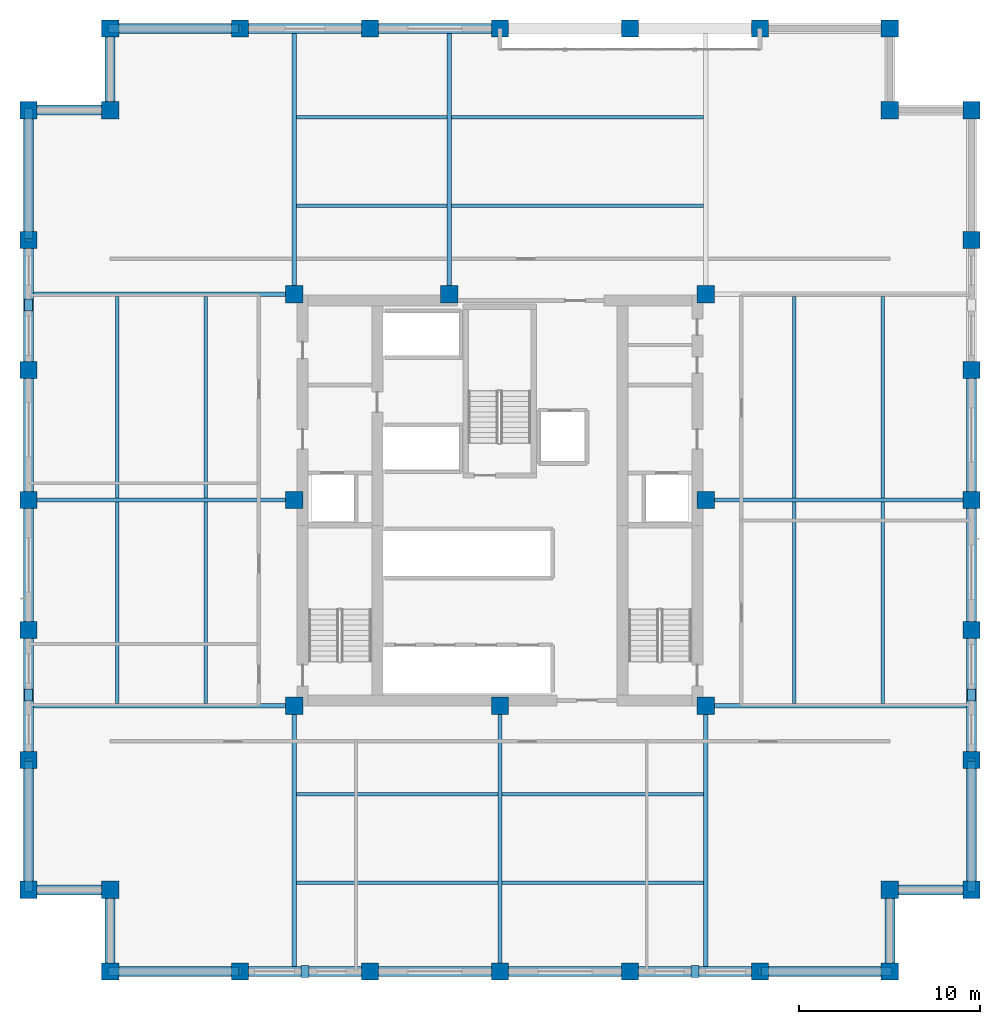
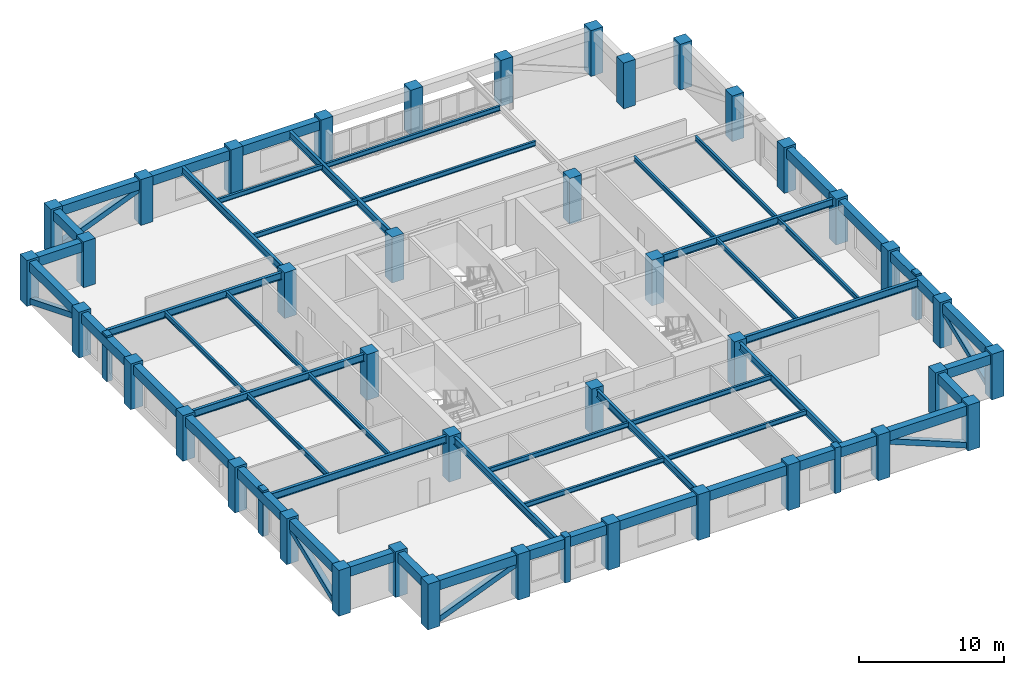
# One storey, part 1 of 11: 51 beams, 40 columns, 11 members.
"""IFC4 building model written with IfcOpenShell, lengths in metres."""

from ifc_helpers import new_model, si_unit, direction, frame, origin, origin_2d, place, context, subcontext, project, spatial, rectangle, hollow_rectangle, i_section, extrude, material, material_profile, profile_set, type_object, element, save


model = new_model("IFC4")

# Units and contexts
model_context = context("Model", 3, precision=1e-05, world=origin(), true_north=direction((0.0, 1.0)))
body_context = subcontext(model_context, "Body", "Model", "MODEL_VIEW")
ifc_project = project(units=[si_unit("LENGTHUNIT", "METRE"), si_unit("AREAUNIT", "SQUARE_METRE"), si_unit("VOLUMEUNIT", "CUBIC_METRE"), si_unit("PLANEANGLEUNIT", "RADIAN"), si_unit("MASSUNIT", "GRAM", prefix="KILO")], contexts=[model_context])

# Site, building, storey
site_placement = place(None, origin())
site = spatial("IfcSite", under=ifc_project, at=site_placement, CompositionType="ELEMENT")
building_placement = place(site_placement, origin())
building = spatial("IfcBuilding", under=site, at=building_placement, Name="Nhamokura Convention Tower", CompositionType="ELEMENT")
storey_placement = place(building_placement, frame((0.0, 0.0, 133.699951171875)))
storey = spatial("IfcBuildingStorey", under=building, at=storey_placement, Name="L32", CompositionType="ELEMENT", Elevation=133.699951171875)

# Columns
ifc_material_1 = material(Name="Concrete C60/75", Category="concrete")
ifc_material_profile_1 = material_profile(ifc_material_1, rectangle(XDim=0.949951171875, YDim=0.949951171875, at=origin_2d()))
ifc_profile_set_1 = profile_set([ifc_material_profile_1], Name="Concrete C60/75")
column_type = type_object("IfcColumnType", Name="TubeColumn_Z2_950", PredefinedType="COLUMN", material=ifc_profile_set_1)
for number, where, z_axis, x_axis, name in (
    (1, (20.64990234375, 20.64990234375, 0.0), (0.0, 0.0, 1.0), (1.0, 0.0, 0.0), "L32 Core Column CC-SW"),
    (2, (32.0, 20.64990234375, 0.0), (0.0, 0.0, 1.0), (1.0, 0.0, 0.0), "L32 Core Column CC-S"),
    (3, (43.35009765625, 20.64990234375, 0.0), (0.0, 0.0, 1.0), (1.0, 0.0, 0.0), "L32 Core Column CC-SE"),
    (4, (43.35009765625, 32.0, 0.0), (0.0, 0.0, 1.0), (1.0, 0.0, 0.0), "L32 Core Column CC-E"),
    (5, (43.35009765625, 43.35009765625, 0.0), (0.0, 0.0, 1.0), (1.0, 0.0, 0.0), "L32 Core Column CC-NE"),
    (6, (29.199951171875, 43.35009765625, 0.0), (0.0, 0.0, 1.0), (1.0, 0.0, 0.0), "L32 Core Column CC-N"),
    (7, (20.64990234375, 43.35009765625, 0.0), (0.0, 0.0, 1.0), (1.0, 0.0, 0.0), "L32 Core Column CC-NW"),
    (8, (20.64990234375, 32.0, 0.0), (0.0, 0.0, 1.0), (1.0, 0.0, 0.0), "L32 Core Column CC-W"),
    (9, (10.5, 6.0, 0.0), (0.0, 0.0, 1.0), (1.0, 0.0, 0.0), "L32 Perimeter Tube Column SW1"),
    (10, (10.5, 10.5, 0.0), (0.0, 0.0, 1.0), (1.0, 0.0, 0.0), "L32 Perimeter Tube Column SW0"),
    (11, (6.0, 10.5, 0.0), (0.0, 0.0, 1.0), (1.0, 0.0, 0.0), "L32 Perimeter Tube Column SW2"),
    (12, (53.5, 6.0, 0.0), (0.0, 0.0, 1.0), (1.0, 0.0, 0.0), "L32 Perimeter Tube Column SE1"),
    (13, (53.5, 10.5, 0.0), (0.0, 0.0, 1.0), (1.0, 0.0, 0.0), "L32 Perimeter Tube Column SE0"),
    (14, (58.0, 10.5, 0.0), (0.0, 0.0, 1.0), (1.0, 0.0, 0.0), "L32 Perimeter Tube Column SE2"),
    (15, (58.0, 53.5, 0.0), (0.0, 0.0, 1.0), (1.0, 0.0, 0.0), "L32 Perimeter Tube Column NE1"),
    (16, (53.5, 53.5, 0.0), (0.0, 0.0, 1.0), (1.0, 0.0, 0.0), "L32 Perimeter Tube Column NE0"),
    (17, (53.5, 58.0, 0.0), (0.0, 0.0, 1.0), (1.0, 0.0, 0.0), "L32 Perimeter Tube Column NE2"),
    (18, (10.5, 58.0, 0.0), (0.0, 0.0, 1.0), (1.0, 0.0, 0.0), "L32 Perimeter Tube Column NW1"),
    (19, (10.5, 53.5, 0.0), (0.0, 0.0, 1.0), (1.0, 0.0, 0.0), "L32 Perimeter Tube Column NW0"),
    (20, (6.0, 53.5, 0.0), (0.0, 0.0, 1.0), (1.0, 0.0, 0.0), "L32 Perimeter Tube Column NW2"),
    (21, (17.666748046875, 6.0, 0.0), (0.0, 0.0, 1.0), (1.0, 0.0, 0.0), "L32 Perimeter Tube Column S1"),
    (22, (17.666748046875, 58.0, 0.0), (0.0, 0.0, 1.0), (1.0, 0.0, 0.0), "L32 Perimeter Tube Column N1"),
    (23, (6.0, 17.666748046875, 0.0), (0.0, 0.0, 1.0), (1.0, 0.0, 0.0), "L32 Perimeter Tube Column W1"),
    (24, (58.0, 17.666748046875, 0.0), (0.0, 0.0, 1.0), (1.0, 0.0, 0.0), "L32 Perimeter Tube Column E1"),
    (25, (24.833251953125, 6.0, 0.0), (0.0, 0.0, 1.0), (1.0, 0.0, 0.0), "L32 Perimeter Tube Column S2"),
    (26, (24.833251953125, 58.0, 0.0), (0.0, 0.0, 1.0), (1.0, 0.0, 0.0), "L32 Perimeter Tube Column N2"),
    (27, (6.0, 24.833251953125, 0.0), (0.0, 0.0, 1.0), (1.0, 0.0, 0.0), "L32 Perimeter Tube Column W2"),
    (28, (58.0, 24.833251953125, 0.0), (0.0, 0.0, 1.0), (1.0, 0.0, 0.0), "L32 Perimeter Tube Column E2"),
    (29, (32.0, 6.0, 0.0), (0.0, 0.0, 1.0), (1.0, 0.0, 0.0), "L32 Perimeter Tube Column S3"),
    (30, (32.0, 58.0, 0.0), (0.0, 0.0, 1.0), (1.0, 0.0, 0.0), "L32 Perimeter Tube Column N3"),
    (31, (6.0, 32.0, 0.0), (0.0, 0.0, 1.0), (1.0, 0.0, 0.0), "L32 Perimeter Tube Column W3"),
    (32, (58.0, 32.0, 0.0), (0.0, 0.0, 1.0), (1.0, 0.0, 0.0), "L32 Perimeter Tube Column E3"),
    (33, (39.166748046875, 6.0, 0.0), (0.0, 0.0, 1.0), (1.0, 0.0, 0.0), "L32 Perimeter Tube Column S4"),
    (34, (39.166748046875, 58.0, 0.0), (0.0, 0.0, 1.0), (1.0, 0.0, 0.0), "L32 Perimeter Tube Column N4"),
    (35, (6.0, 39.166748046875, 0.0), (0.0, 0.0, 1.0), (1.0, 0.0, 0.0), "L32 Perimeter Tube Column W4"),
    (36, (58.0, 39.166748046875, 0.0), (0.0, 0.0, 1.0), (1.0, 0.0, 0.0), "L32 Perimeter Tube Column E4"),
    (37, (46.333251953125, 6.0, 0.0), (0.0, 0.0, 1.0), (1.0, 0.0, 0.0), "L32 Perimeter Tube Column S5"),
    (38, (46.333251953125, 58.0, 0.0), (0.0, 0.0, 1.0), (1.0, 0.0, 0.0), "L32 Perimeter Tube Column N5"),
    (39, (6.0, 46.333251953125, 0.0), (0.0, 0.0, 1.0), (1.0, 0.0, 0.0), "L32 Perimeter Tube Column W5"),
    (40, (58.0, 46.333251953125, 0.0), (0.0, 0.0, 1.0), (1.0, 0.0, 0.0), "L32 Perimeter Tube Column E5"),
):
    element("IfcColumn", number, at=place(storey_placement, frame(where, z_axis=z_axis, x_axis=x_axis)), inside=storey, type_object=column_type, Name=name, PredefinedType="COLUMN", context=body_context, shape_type="SweptSolid", body=[
        extrude(rectangle(XDim=0.949951171875, YDim=0.949951171875, at=origin_2d()), origin(), (0.0, 0.0, 1.0), 3.85009765625),
    ])

# Members
ifc_material_2 = material(Name="Bronze-pigmented precast concrete C45/55", Category="concrete")
ifc_material_profile_2 = material_profile(ifc_material_2, rectangle(XDim=0.449951171875, YDim=0.64990234375, at=origin_2d()))
ifc_profile_set_2 = profile_set([ifc_material_profile_2], Name="Bronze-pigmented precast concrete C45/55")
member_type_1 = type_object("IfcMemberType", Name="BronzePilaster_650", PredefinedType="USERDEFINED", material=ifc_profile_set_2)
for number, where, z_axis, x_axis, name in (
    (41, (21.25, 6.0, 0.0), (0.0, 0.0, 1.0), (1.0, 0.0, 0.0), "L32 Engaged Frame Pilaster SOUTH 1"),
    (42, (42.75, 6.0, 0.0), (0.0, 0.0, 1.0), (1.0, 0.0, 0.0), "L32 Engaged Frame Pilaster SOUTH 4"),
    (43, (6.0, 21.25, 0.0), (0.0, 0.0, 1.0), (1.0, 0.0, 0.0), "L32 Engaged Frame Pilaster WEST 1"),
    (44, (6.0, 42.75, 0.0), (0.0, 0.0, 1.0), (1.0, 0.0, 0.0), "L32 Engaged Frame Pilaster WEST 4"),
    (45, (58.0, 21.25, 0.0), (0.0, 0.0, 1.0), (1.0, 0.0, 0.0), "L32 Engaged Frame Pilaster EAST 1"),
):
    element("IfcMember", number, at=place(storey_placement, frame(where, z_axis=z_axis, x_axis=x_axis)), inside=storey, type_object=member_type_1, Name=name, ObjectType="PILASTER_TRIM", PredefinedType="USERDEFINED", context=body_context, shape_type="SweptSolid", body=[
        extrude(rectangle(XDim=0.449951171875, YDim=0.64990234375, at=origin_2d()), origin(), (0.0, 0.0, 1.0), 3.85009765625),
    ])

# Beams
ifc_material_3 = material(Name="Steel ASTM A992 Gr 50", Category="steel")
ifc_material_profile_3 = material_profile(ifc_material_3, i_section(OverallWidth=0.177001953125, OverallDepth=0.403076171875, WebThickness=0.007568359375, FlangeThickness=0.010986328125, at=origin_2d()))
ifc_profile_set_3 = profile_set([ifc_material_profile_3], Name="Steel ASTM A992 Gr 50")
beam_type_1 = type_object("IfcBeamType", Name="FloorJoist_W410X53", PredefinedType="JOIST", material=ifc_profile_set_3)
for number, where, z_axis, x_axis, name in (
    (46, (20.761962890625, 10.88330078125, 3.483642578125), (1.0, 0.0, 0.0), (0.0, 1.0, 0.0), "L32 Composite Floor Joist S1A"),
    (47, (32.112060546875, 10.88330078125, 3.483642578125), (1.0, 0.0, 0.0), (0.0, 1.0, 0.0), "L32 Composite Floor Joist S1B"),
    (48, (20.761962890625, 15.7666015625, 3.483642578125), (1.0, 0.0, 0.0), (0.0, 1.0, 0.0), "L32 Composite Floor Joist S2A"),
    (49, (32.112060546875, 15.7666015625, 3.483642578125), (1.0, 0.0, 0.0), (0.0, 1.0, 0.0), "L32 Composite Floor Joist S2B"),
):
    element("IfcBeam", number, at=place(storey_placement, frame(where, z_axis=z_axis, x_axis=x_axis)), inside=storey, type_object=beam_type_1, Name=name, PredefinedType="JOIST", context=body_context, shape_type="SweptSolid", body=[
        extrude(i_section(OverallWidth=0.177001953125, OverallDepth=0.403076171875, WebThickness=0.007568359375, FlangeThickness=0.010986328125, at=origin_2d()), origin(), (0.0, 0.0, 1.0), 11.1259765625),
    ])
beam_1_placement = place(storey_placement, frame((20.761962890625, 48.2333984375, 3.483642578125), z_axis=(1.0, 0.0, 0.0), x_axis=(0.0, 1.0, 0.0)))
element("IfcBeam", 50, at=beam_1_placement, inside=storey, type_object=beam_type_1, Name="L32 Composite Floor Joist N1A", PredefinedType="JOIST", context=body_context, shape_type="SweptSolid", body=[
    extrude(i_section(OverallWidth=0.177001953125, OverallDepth=0.403076171875, WebThickness=0.007568359375, FlangeThickness=0.010986328125, at=origin_2d()), origin(), (0.0, 0.0, 1.0), 8.325927734375),
])
beam_2_placement = place(storey_placement, frame((29.31201171875, 48.2333984375, 3.483642578125), z_axis=(1.0, 0.0, 0.0), x_axis=(0.0, 1.0, 0.0)))
element("IfcBeam", 51, at=beam_2_placement, inside=storey, type_object=beam_type_1, Name="L32 Composite Floor Joist N1B", PredefinedType="JOIST", context=body_context, shape_type="SweptSolid", body=[
    extrude(i_section(OverallWidth=0.177001953125, OverallDepth=0.403076171875, WebThickness=0.007568359375, FlangeThickness=0.010986328125, at=origin_2d()), origin(), (0.0, 0.0, 1.0), 13.926025390625),
])
beam_3_placement = place(storey_placement, frame((20.761962890625, 53.11669921875, 3.483642578125), z_axis=(1.0, 0.0, 0.0), x_axis=(0.0, 1.0, 0.0)))
element("IfcBeam", 52, at=beam_3_placement, inside=storey, type_object=beam_type_1, Name="L32 Composite Floor Joist N2A", PredefinedType="JOIST", context=body_context, shape_type="SweptSolid", body=[
    extrude(i_section(OverallWidth=0.177001953125, OverallDepth=0.403076171875, WebThickness=0.007568359375, FlangeThickness=0.010986328125, at=origin_2d()), origin(), (0.0, 0.0, 1.0), 8.325927734375),
])
beam_4_placement = place(storey_placement, frame((29.31201171875, 53.11669921875, 3.483642578125), z_axis=(1.0, 0.0, 0.0), x_axis=(0.0, 1.0, 0.0)))
element("IfcBeam", 53, at=beam_4_placement, inside=storey, type_object=beam_type_1, Name="L32 Composite Floor Joist N2B", PredefinedType="JOIST", context=body_context, shape_type="SweptSolid", body=[
    extrude(i_section(OverallWidth=0.177001953125, OverallDepth=0.403076171875, WebThickness=0.007568359375, FlangeThickness=0.010986328125, at=origin_2d()), origin(), (0.0, 0.0, 1.0), 13.926025390625),
])
for number, where, z_axis, x_axis, name in (
    (54, (10.88330078125, 20.761962890625, 3.483642578125), (0.0, 1.0, 0.0), (-1.0, 0.0, 0.0), "L32 Composite Floor Joist W1A"),
    (55, (10.88330078125, 32.112060546875, 3.483642578125), (0.0, 1.0, 0.0), (-1.0, 0.0, 0.0), "L32 Composite Floor Joist W1B"),
    (56, (15.7666015625, 20.761962890625, 3.483642578125), (0.0, 1.0, 0.0), (-1.0, 0.0, 0.0), "L32 Composite Floor Joist W2A"),
    (57, (15.7666015625, 32.112060546875, 3.483642578125), (0.0, 1.0, 0.0), (-1.0, 0.0, 0.0), "L32 Composite Floor Joist W2B"),
    (58, (48.2333984375, 20.761962890625, 3.483642578125), (0.0, 1.0, 0.0), (-1.0, 0.0, 0.0), "L32 Composite Floor Joist E1A"),
    (59, (48.2333984375, 32.112060546875, 3.483642578125), (0.0, 1.0, 0.0), (-1.0, 0.0, 0.0), "L32 Composite Floor Joist E1B"),
    (60, (53.11669921875, 20.761962890625, 3.483642578125), (0.0, 1.0, 0.0), (-1.0, 0.0, 0.0), "L32 Composite Floor Joist E2A"),
    (61, (53.11669921875, 32.112060546875, 3.483642578125), (0.0, 1.0, 0.0), (-1.0, 0.0, 0.0), "L32 Composite Floor Joist E2B"),
):
    element("IfcBeam", number, at=place(storey_placement, frame(where, z_axis=z_axis, x_axis=x_axis)), inside=storey, type_object=beam_type_1, Name=name, PredefinedType="JOIST", context=body_context, shape_type="SweptSolid", body=[
        extrude(i_section(OverallWidth=0.177001953125, OverallDepth=0.403076171875, WebThickness=0.007568359375, FlangeThickness=0.010986328125, at=origin_2d()), origin(), (0.0, 0.0, 1.0), 11.1259765625),
    ])
ifc_material_4 = material(Name="Steel ASTM A992 Gr 50", Category="steel")
ifc_material_profile_4 = material_profile(ifc_material_4, i_section(OverallWidth=0.22802734375, OverallDepth=0.60791015625, WebThickness=0.01123046875, FlangeThickness=0.017333984375, at=origin_2d()))
ifc_profile_set_4 = profile_set([ifc_material_profile_4], Name="Steel ASTM A992 Gr 50")
beam_type_2 = type_object("IfcBeamType", Name="PrimaryGirder_W610X113", PredefinedType="BEAM", material=ifc_profile_set_4)
for number, where, z_axis, x_axis, name in (
    (62, (20.64990234375, 6.0, 3.381103515625), (0.0, 1.0, 0.0), (-1.0, 0.0, 0.0), "L32 Primary Floor Girder PG-S1"),
    (63, (32.0, 6.0, 3.381103515625), (0.0, 1.0, 0.0), (-1.0, 0.0, 0.0), "L32 Primary Floor Girder PG-S2"),
    (64, (43.35009765625, 6.0, 3.381103515625), (0.0, 1.0, 0.0), (-1.0, 0.0, 0.0), "L32 Primary Floor Girder PG-S3"),
    (65, (20.64990234375, 43.35009765625, 3.381103515625), (0.0, 1.0, 0.0), (-1.0, 0.0, 0.0), "L32 Primary Floor Girder PG-N1"),
    (66, (29.199951171875, 43.35009765625, 3.381103515625), (0.0, 1.0, 0.0), (-1.0, 0.0, 0.0), "L32 Primary Floor Girder PG-N2"),
    (67, (6.0, 20.64990234375, 3.381103515625), (1.0, 0.0, 0.0), (0.0, 1.0, 0.0), "L32 Primary Floor Girder PG-W1"),
    (68, (6.0, 32.0, 3.381103515625), (1.0, 0.0, 0.0), (0.0, 1.0, 0.0), "L32 Primary Floor Girder PG-W2"),
    (69, (6.0, 43.35009765625, 3.381103515625), (1.0, 0.0, 0.0), (0.0, 1.0, 0.0), "L32 Primary Floor Girder PG-W3"),
    (70, (43.35009765625, 20.64990234375, 3.381103515625), (1.0, 0.0, 0.0), (0.0, 1.0, 0.0), "L32 Primary Floor Girder PG-E1"),
    (71, (43.35009765625, 32.0, 3.381103515625), (1.0, 0.0, 0.0), (0.0, 1.0, 0.0), "L32 Primary Floor Girder PG-E2"),
):
    element("IfcBeam", number, at=place(storey_placement, frame(where, z_axis=z_axis, x_axis=x_axis)), inside=storey, type_object=beam_type_2, Name=name, PredefinedType="BEAM", context=body_context, shape_type="SweptSolid", body=[
        extrude(i_section(OverallWidth=0.22802734375, OverallDepth=0.60791015625, WebThickness=0.01123046875, FlangeThickness=0.017333984375, at=origin_2d()), origin(), (0.0, 0.0, 1.0), 14.64990234375),
    ])

# Members
ifc_material_5 = material(Name="Steel ASTM A572 Gr 50", Category="steel")
ifc_material_profile_5 = material_profile(ifc_material_5, hollow_rectangle(XDim=0.449951171875, YDim=0.449951171875, WallThickness=0.02197265625, at=origin_2d()))
ifc_profile_set_5 = profile_set([ifc_material_profile_5], Name="Steel ASTM A572 Gr 50")
member_type_2 = type_object("IfcMemberType", Name="TubeBrace_HSS450", PredefinedType="BRACE", material=ifc_profile_set_5)
for number, where, z_axis, x_axis, name in (
    (72, (10.5, 6.0, 0.150146484375), (0.927657166893, 0.0, 0.373432966826), (0.0, 1.0, 0.0), "L32 Perimeter Tube Brace SOUTH Bay 0"),
    (73, (53.5, 6.0, 0.150146484375), (-0.927657166893, 0.0, 0.373432966826), (0.0, -1.0, 0.0), "L32 Perimeter Tube Brace SOUTH Bay 5"),
    (74, (10.5, 58.0, 0.150146484375), (0.927657166893, 0.0, 0.373432966826), (0.0, 1.0, 0.0), "L32 Perimeter Tube Brace NORTH Bay 0"),
    (75, (6.0, 10.5, 0.150146484375), (0.0, 0.927657166893, 0.373432966826), (-1.0, 0.0, 0.0), "L32 Perimeter Tube Brace WEST Bay 0"),
    (76, (6.0, 53.5, 0.150146484375), (0.0, -0.927657166893, 0.373432966826), (1.0, 0.0, 0.0), "L32 Perimeter Tube Brace WEST Bay 5"),
    (77, (58.0, 10.5, 0.150146484375), (0.0, 0.927657166893, 0.373432966826), (-1.0, 0.0, 0.0), "L32 Perimeter Tube Brace EAST Bay 0"),
):
    element("IfcMember", number, at=place(storey_placement, frame(where, z_axis=z_axis, x_axis=x_axis)), inside=storey, type_object=member_type_2, Name=name, PredefinedType="BRACE", context=body_context, shape_type="SweptSolid", body=[
        extrude(hollow_rectangle(XDim=0.449951171875, YDim=0.449951171875, WallThickness=0.02197265625, at=origin_2d()), origin(), (0.0, 0.0, 1.0), 7.7255859375),
    ])

# Beams
ifc_material_6 = material(Name="Concrete C50/60", Category="concrete")
ifc_material_profile_6 = material_profile(ifc_material_6, rectangle(XDim=0.550048828125, YDim=0.800048828125, at=origin_2d()))
ifc_profile_set_6 = profile_set([ifc_material_profile_6], Name="Concrete C50/60")
beam_type_3 = type_object("IfcBeamType", Name="TubeSpandrel_800", PredefinedType="SPANDREL", material=ifc_profile_set_6)
beam_5_placement = place(storey_placement, frame((10.5, 6.0, 3.28515625), z_axis=(1.0, 0.0, 0.0), x_axis=(0.0, 1.0, 0.0)))
element("IfcBeam", 78, at=beam_5_placement, inside=storey, type_object=beam_type_3, Name="L32 Perimeter Spandrel SOUTH 1", PredefinedType="SPANDREL", context=body_context, shape_type="SweptSolid", body=[
    extrude(rectangle(XDim=0.550048828125, YDim=0.800048828125, at=origin_2d()), origin(), (0.0, 0.0, 1.0), 7.166748046875),
])
beam_6_placement = place(storey_placement, frame((17.666748046875, 6.0, 3.28515625), z_axis=(1.0, 0.0, 0.0), x_axis=(0.0, 1.0, 0.0)))
element("IfcBeam", 79, at=beam_6_placement, inside=storey, type_object=beam_type_3, Name="L32 Perimeter Spandrel SOUTH 2", PredefinedType="SPANDREL", context=body_context, shape_type="SweptSolid", body=[
    extrude(rectangle(XDim=0.550048828125, YDim=0.800048828125, at=origin_2d()), origin(), (0.0, 0.0, 1.0), 7.16650390625),
])
for number, where, z_axis, x_axis, name in (
    (80, (24.833251953125, 6.0, 3.28515625), (1.0, 0.0, 0.0), (0.0, 1.0, 0.0), "L32 Perimeter Spandrel SOUTH 3"),
    (81, (32.0, 6.0, 3.28515625), (1.0, 0.0, 0.0), (0.0, 1.0, 0.0), "L32 Perimeter Spandrel SOUTH 4"),
):
    element("IfcBeam", number, at=place(storey_placement, frame(where, z_axis=z_axis, x_axis=x_axis)), inside=storey, type_object=beam_type_3, Name=name, PredefinedType="SPANDREL", context=body_context, shape_type="SweptSolid", body=[
        extrude(rectangle(XDim=0.550048828125, YDim=0.800048828125, at=origin_2d()), origin(), (0.0, 0.0, 1.0), 7.166748046875),
    ])
beam_7_placement = place(storey_placement, frame((39.166748046875, 6.0, 3.28515625), z_axis=(1.0, 0.0, 0.0), x_axis=(0.0, 1.0, 0.0)))
element("IfcBeam", 82, at=beam_7_placement, inside=storey, type_object=beam_type_3, Name="L32 Perimeter Spandrel SOUTH 5", PredefinedType="SPANDREL", context=body_context, shape_type="SweptSolid", body=[
    extrude(rectangle(XDim=0.550048828125, YDim=0.800048828125, at=origin_2d()), origin(), (0.0, 0.0, 1.0), 7.16650390625),
])
for number, where, z_axis, x_axis, name in (
    (83, (46.333251953125, 6.0, 3.28515625), (1.0, 0.0, 0.0), (0.0, 1.0, 0.0), "L32 Perimeter Spandrel SOUTH 6"),
    (84, (10.5, 58.0, 3.28515625), (1.0, 0.0, 0.0), (0.0, 1.0, 0.0), "L32 Perimeter Spandrel NORTH 1"),
):
    element("IfcBeam", number, at=place(storey_placement, frame(where, z_axis=z_axis, x_axis=x_axis)), inside=storey, type_object=beam_type_3, Name=name, PredefinedType="SPANDREL", context=body_context, shape_type="SweptSolid", body=[
        extrude(rectangle(XDim=0.550048828125, YDim=0.800048828125, at=origin_2d()), origin(), (0.0, 0.0, 1.0), 7.166748046875),
    ])
beam_8_placement = place(storey_placement, frame((17.666748046875, 58.0, 3.28515625), z_axis=(1.0, 0.0, 0.0), x_axis=(0.0, 1.0, 0.0)))
element("IfcBeam", 85, at=beam_8_placement, inside=storey, type_object=beam_type_3, Name="L32 Perimeter Spandrel NORTH 2", PredefinedType="SPANDREL", context=body_context, shape_type="SweptSolid", body=[
    extrude(rectangle(XDim=0.550048828125, YDim=0.800048828125, at=origin_2d()), origin(), (0.0, 0.0, 1.0), 7.16650390625),
])
for number, where, z_axis, x_axis, name in (
    (86, (24.833251953125, 58.0, 3.28515625), (1.0, 0.0, 0.0), (0.0, 1.0, 0.0), "L32 Perimeter Spandrel NORTH 3"),
    (87, (6.0, 10.5, 3.28515625), (0.0, 1.0, 0.0), (-1.0, 0.0, 0.0), "L32 Perimeter Spandrel WEST 1"),
):
    element("IfcBeam", number, at=place(storey_placement, frame(where, z_axis=z_axis, x_axis=x_axis)), inside=storey, type_object=beam_type_3, Name=name, PredefinedType="SPANDREL", context=body_context, shape_type="SweptSolid", body=[
        extrude(rectangle(XDim=0.550048828125, YDim=0.800048828125, at=origin_2d()), origin(), (0.0, 0.0, 1.0), 7.166748046875),
    ])
beam_9_placement = place(storey_placement, frame((6.0, 17.666748046875, 3.28515625), z_axis=(0.0, 1.0, 0.0), x_axis=(-1.0, 0.0, 0.0)))
element("IfcBeam", 88, at=beam_9_placement, inside=storey, type_object=beam_type_3, Name="L32 Perimeter Spandrel WEST 2", PredefinedType="SPANDREL", context=body_context, shape_type="SweptSolid", body=[
    extrude(rectangle(XDim=0.550048828125, YDim=0.800048828125, at=origin_2d()), origin(), (0.0, 0.0, 1.0), 7.16650390625),
])
for number, where, z_axis, x_axis, name in (
    (89, (6.0, 24.833251953125, 3.28515625), (0.0, 1.0, 0.0), (-1.0, 0.0, 0.0), "L32 Perimeter Spandrel WEST 3"),
    (90, (6.0, 32.0, 3.28515625), (0.0, 1.0, 0.0), (-1.0, 0.0, 0.0), "L32 Perimeter Spandrel WEST 4"),
):
    element("IfcBeam", number, at=place(storey_placement, frame(where, z_axis=z_axis, x_axis=x_axis)), inside=storey, type_object=beam_type_3, Name=name, PredefinedType="SPANDREL", context=body_context, shape_type="SweptSolid", body=[
        extrude(rectangle(XDim=0.550048828125, YDim=0.800048828125, at=origin_2d()), origin(), (0.0, 0.0, 1.0), 7.166748046875),
    ])
beam_10_placement = place(storey_placement, frame((6.0, 39.166748046875, 3.28515625), z_axis=(0.0, 1.0, 0.0), x_axis=(-1.0, 0.0, 0.0)))
element("IfcBeam", 91, at=beam_10_placement, inside=storey, type_object=beam_type_3, Name="L32 Perimeter Spandrel WEST 5", PredefinedType="SPANDREL", context=body_context, shape_type="SweptSolid", body=[
    extrude(rectangle(XDim=0.550048828125, YDim=0.800048828125, at=origin_2d()), origin(), (0.0, 0.0, 1.0), 7.16650390625),
])
for number, where, z_axis, x_axis, name in (
    (92, (6.0, 46.333251953125, 3.28515625), (0.0, 1.0, 0.0), (-1.0, 0.0, 0.0), "L32 Perimeter Spandrel WEST 6"),
    (93, (58.0, 10.5, 3.28515625), (0.0, 1.0, 0.0), (-1.0, 0.0, 0.0), "L32 Perimeter Spandrel EAST 1"),
):
    element("IfcBeam", number, at=place(storey_placement, frame(where, z_axis=z_axis, x_axis=x_axis)), inside=storey, type_object=beam_type_3, Name=name, PredefinedType="SPANDREL", context=body_context, shape_type="SweptSolid", body=[
        extrude(rectangle(XDim=0.550048828125, YDim=0.800048828125, at=origin_2d()), origin(), (0.0, 0.0, 1.0), 7.166748046875),
    ])
beam_11_placement = place(storey_placement, frame((58.0, 17.666748046875, 3.28515625), z_axis=(0.0, 1.0, 0.0), x_axis=(-1.0, 0.0, 0.0)))
element("IfcBeam", 94, at=beam_11_placement, inside=storey, type_object=beam_type_3, Name="L32 Perimeter Spandrel EAST 2", PredefinedType="SPANDREL", context=body_context, shape_type="SweptSolid", body=[
    extrude(rectangle(XDim=0.550048828125, YDim=0.800048828125, at=origin_2d()), origin(), (0.0, 0.0, 1.0), 7.16650390625),
])
for number, where, z_axis, x_axis, name in (
    (95, (58.0, 24.833251953125, 3.28515625), (0.0, 1.0, 0.0), (-1.0, 0.0, 0.0), "L32 Perimeter Spandrel EAST 3"),
    (96, (58.0, 32.0, 3.28515625), (0.0, 1.0, 0.0), (-1.0, 0.0, 0.0), "L32 Perimeter Spandrel EAST 4"),
):
    element("IfcBeam", number, at=place(storey_placement, frame(where, z_axis=z_axis, x_axis=x_axis)), inside=storey, type_object=beam_type_3, Name=name, PredefinedType="SPANDREL", context=body_context, shape_type="SweptSolid", body=[
        extrude(rectangle(XDim=0.550048828125, YDim=0.800048828125, at=origin_2d()), origin(), (0.0, 0.0, 1.0), 7.166748046875),
    ])
for number, where, z_axis, x_axis, name in (
    (97, (10.5, 6.0, 3.28515625), (0.0, 1.0, 0.0), (-1.0, 0.0, 0.0), "L32 Notch Spandrel SW1"),
    (98, (10.5, 10.5, 3.28515625), (-1.0, 0.0, 0.0), (0.0, -1.0, 0.0), "L32 Notch Spandrel SW2"),
    (99, (53.5, 6.0, 3.28515625), (0.0, 1.0, 0.0), (-1.0, 0.0, 0.0), "L32 Notch Spandrel SE1"),
    (100, (53.5, 10.5, 3.28515625), (1.0, 0.0, 0.0), (0.0, 1.0, 0.0), "L32 Notch Spandrel SE2"),
    (101, (10.5, 58.0, 3.28515625), (0.0, -1.0, 0.0), (1.0, 0.0, 0.0), "L32 Notch Spandrel NW1"),
    (102, (10.5, 53.5, 3.28515625), (-1.0, 0.0, 0.0), (0.0, -1.0, 0.0), "L32 Notch Spandrel NW2"),
):
    element("IfcBeam", number, at=place(storey_placement, frame(where, z_axis=z_axis, x_axis=x_axis)), inside=storey, type_object=beam_type_3, Name=name, PredefinedType="SPANDREL", context=body_context, shape_type="SweptSolid", body=[
        extrude(rectangle(XDim=0.550048828125, YDim=0.800048828125, at=origin_2d()), origin(), (0.0, 0.0, 1.0), 4.5),
    ])

save(model, "model.ifc")
